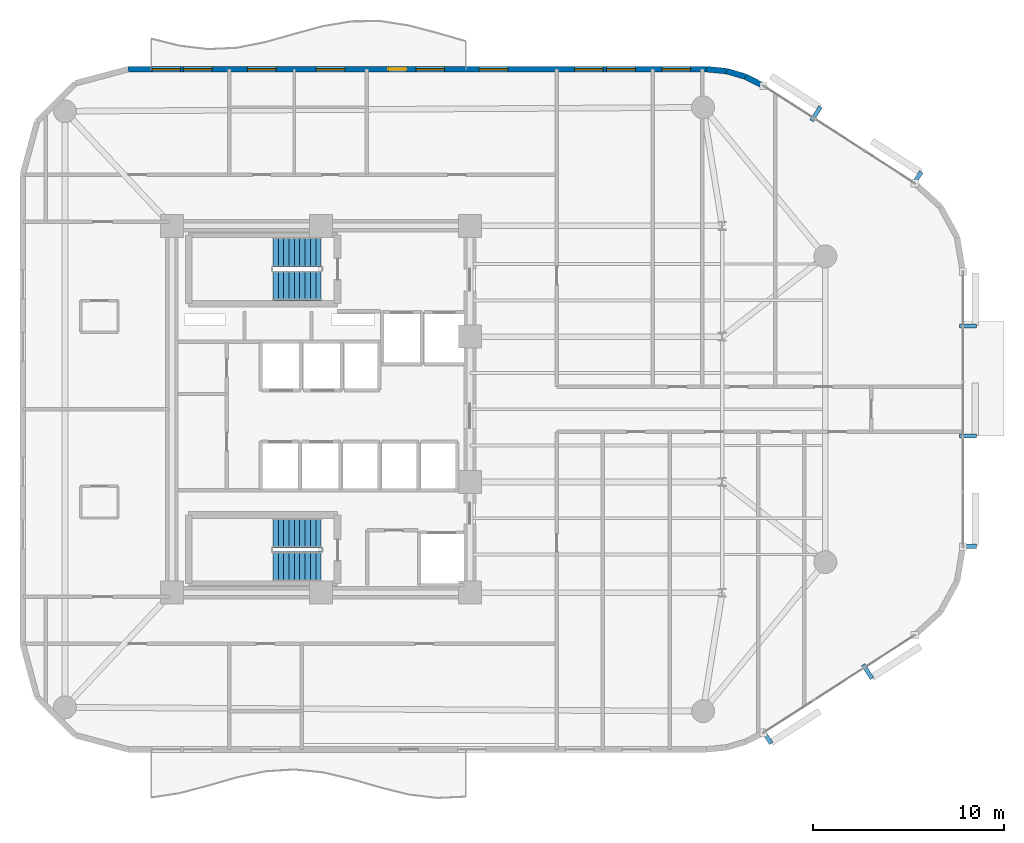
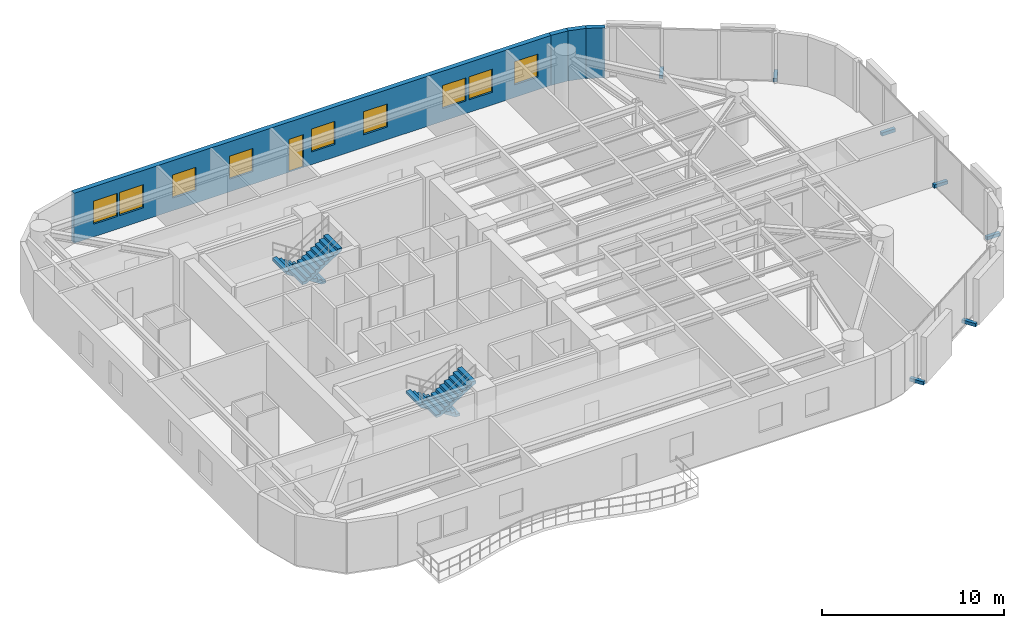
# One storey, part 13 of 15: 9 windows, 7 discrete accessories, 4 stair flights, 4 walls, 1 door, 10 openings, 2 elements without a shape of their own.
"""IFC4 building model written with IfcOpenShell, lengths in metres."""

from ifc_helpers import new_model, si_unit, direction, frame, frame_2d, origin, origin_2d, place, context, subcontext, project, spatial, polyline, rectangle, outline, extrude, material, layer, layer_set, type_object, element, fill, aggregate, save


model = new_model("IFC4")

# Units and contexts
model_context = context("Model", 3, precision=1e-05, world=origin(), true_north=direction((0.0, 1.0)))
body_context = subcontext(model_context, "Body", "Model", "MODEL_VIEW")
ifc_project = project(units=[si_unit("LENGTHUNIT", "METRE"), si_unit("AREAUNIT", "SQUARE_METRE"), si_unit("VOLUMEUNIT", "CUBIC_METRE"), si_unit("PLANEANGLEUNIT", "RADIAN"), si_unit("MASSUNIT", "GRAM", prefix="KILO")], contexts=[model_context])

# Site, building, storey
site_placement = place(None, origin())
site = spatial("IfcSite", under=ifc_project, at=site_placement, CompositionType="ELEMENT")
building_placement = place(site_placement, origin())
building = spatial("IfcBuilding", under=site, at=building_placement, Name="An Khanh Terracotta Commons", CompositionType="ELEMENT")
storey_placement = place(building_placement, frame((0.0, 0.0, 187.0)))
storey = spatial("IfcBuildingStorey", under=building, at=storey_placement, Name="L49", CompositionType="ELEMENT", Elevation=187.0)

# Walls
ifc_material_1 = material(Name="Precast concrete C40/50", Category="concrete")
ifc_layer = layer(ifc_material_1, 0.300048828125, Name="Precast concrete C40/50")
ifc_layer_set = layer_set([ifc_layer], Name="Precast concrete C40/50")
wall_type = type_object("IfcWallType", Name="WALL-EXT-300", PredefinedType="SOLIDWALL", material=ifc_layer_set)
wall_1_placement = place(storey_placement, frame((52.56005859375, 40.924072265625, 0.0), z_axis=(0.0, 0.0, 1.0), x_axis=(-0.888283247196, 0.459296062198, 0.0)))
element("IfcWall", 1, at=wall_1_placement, inside=storey, type_object=wall_type, Name="L49 Insulated Terracotta Exterior Wall 17", PredefinedType="SOLIDWALL", context=body_context, shape_type="SweptSolid", body=[
    extrude(rectangle(XDim=1.047119140625, YDim=0.300048828125, at=frame_2d((0.5234375, 0.0))), origin(), (0.0, 0.0, 1.0), 3.360107421875),
])
wall_2_placement = place(storey_placement, frame((51.6298828125, 41.405029296875, 0.0), z_axis=(0.0, 0.0, 1.0), x_axis=(-0.959528674476, 0.281610942363, 0.0)))
element("IfcWall", 2, at=wall_2_placement, inside=storey, type_object=wall_type, Name="L49 Insulated Terracotta Exterior Wall 18", PredefinedType="SOLIDWALL", context=body_context, shape_type="SweptSolid", body=[
    extrude(rectangle(XDim=1.04736328125, YDim=0.300048828125, at=frame_2d((0.523681640625, 0.0))), origin(), (0.0, 0.0, 1.0), 3.360107421875),
])
wall_3_placement = place(storey_placement, frame((50.625, 41.699951171875, 0.0), z_axis=(0.0, 0.0, 1.0), x_axis=(-0.995426089968, 0.095534807324, 0.0)))
element("IfcWall", 3, at=wall_3_placement, inside=storey, type_object=wall_type, Name="L49 Insulated Terracotta Exterior Wall 19", PredefinedType="SOLIDWALL", context=body_context, shape_type="SweptSolid", body=[
    extrude(rectangle(XDim=1.0478515625, YDim=0.300048828125, at=frame_2d((0.52392578125, 0.0))), origin(), (0.0, 0.0, 1.0), 3.360107421875),
])

# Wall, openings, door, windows
wall_4_placement = place(storey_placement, frame((49.58203125, 41.800048828125, 0.0), z_axis=(0.0, 0.0, 1.0), x_axis=(-1.0, 0.0, 0.0)))
wall_4 = element("IfcWall", 4, at=wall_4_placement, inside=storey, type_object=wall_type, Name="L49 Insulated Terracotta Exterior Wall 20", PredefinedType="SOLIDWALL", context=body_context, shape_type="SweptSolid", body=[
    extrude(rectangle(XDim=30.281982421875, YDim=0.300048828125, at=frame_2d((15.14111328125, 0.0))), origin(), (0.0, 0.0, 1.0), 3.360107421875),
])
opening_1_placement = place(wall_4_placement, frame((15.70703125, 0.0, 0.0)))
opening_1 = element("IfcOpeningElement", 5, at=opening_1_placement, cuts=wall_4, Name="Opening D-BAL", PredefinedType="OPENING", context=body_context, shape_type="SweptSolid", body=[
    extrude(rectangle(XDim=0.949951171875, YDim=2.199951171875, at=frame_2d((0.47509765625, 1.10009765625))), frame((0.0, 0.159912109375, 0.0), z_axis=(0.0, -1.0, 0.0), x_axis=(1.0, 0.0, 0.0)), (0.0, 0.0, 1.0), 0.320068359375),
])
opening_2_placement = place(wall_4_placement, frame((0.827880859375, 0.0, 0.85009765625)))
opening_2 = element("IfcOpeningElement", 6, at=opening_2_placement, cuts=wall_4, Name="Opening W-03", PredefinedType="OPENING", context=body_context, shape_type="SweptSolid", body=[
    extrude(rectangle(XDim=1.5, YDim=1.550048828125, at=frame_2d((0.75, 0.77490234375))), frame((0.0, 0.159912109375, 0.0), z_axis=(0.0, -1.0, 0.0), x_axis=(1.0, 0.0, 0.0)), (0.0, 0.0, 1.0), 0.320068359375),
])
opening_3_placement = place(wall_4_placement, frame((3.73095703125, 0.0, 0.85009765625)))
opening_3 = element("IfcOpeningElement", 7, at=opening_3_placement, cuts=wall_4, Name="Opening W-03", PredefinedType="OPENING", context=body_context, shape_type="SweptSolid", body=[
    extrude(rectangle(XDim=1.5, YDim=1.550048828125, at=frame_2d((0.75, 0.77490234375))), frame((0.0, 0.159912109375, 0.0), z_axis=(0.0, -1.0, 0.0), x_axis=(1.0, 0.0, 0.0)), (0.0, 0.0, 1.0), 0.320068359375),
])
opening_4_placement = place(wall_4_placement, frame((5.406982421875, 0.0, 0.85009765625)))
opening_4 = element("IfcOpeningElement", 8, at=opening_4_placement, cuts=wall_4, Name="Opening W-03", PredefinedType="OPENING", context=body_context, shape_type="SweptSolid", body=[
    extrude(rectangle(XDim=1.5, YDim=1.550048828125, at=frame_2d((0.75, 0.77490234375))), frame((0.0, 0.159912109375, 0.0), z_axis=(0.0, -1.0, 0.0), x_axis=(1.0, 0.0, 0.0)), (0.0, 0.0, 1.0), 0.320068359375),
])
opening_5_placement = place(wall_4_placement, frame((10.39892578125, 0.0, 0.85009765625)))
opening_5 = element("IfcOpeningElement", 9, at=opening_5_placement, cuts=wall_4, Name="Opening W-03", PredefinedType="OPENING", context=body_context, shape_type="SweptSolid", body=[
    extrude(rectangle(XDim=1.5, YDim=1.550048828125, at=frame_2d((0.75, 0.77490234375))), frame((0.0, 0.159912109375, 0.0), z_axis=(0.0, -1.0, 0.0), x_axis=(1.0, 0.0, 0.0)), (0.0, 0.0, 1.0), 0.320068359375),
])
opening_6_placement = place(wall_4_placement, frame((13.715087890625, 0.0, 0.85009765625)))
opening_6 = element("IfcOpeningElement", 10, at=opening_6_placement, cuts=wall_4, Name="Opening W-03", PredefinedType="OPENING", context=body_context, shape_type="SweptSolid", body=[
    extrude(rectangle(XDim=1.5, YDim=1.550048828125, at=frame_2d((0.75, 0.77490234375))), frame((0.0, 0.159912109375, 0.0), z_axis=(0.0, -1.0, 0.0), x_axis=(1.0, 0.0, 0.0)), (0.0, 0.0, 1.0), 0.320068359375),
])
opening_7_placement = place(wall_4_placement, frame((18.931884765625, 0.0, 0.85009765625)))
opening_7 = element("IfcOpeningElement", 11, at=opening_7_placement, cuts=wall_4, Name="Opening W-03", PredefinedType="OPENING", context=body_context, shape_type="SweptSolid", body=[
    extrude(rectangle(XDim=1.5, YDim=1.550048828125, at=frame_2d((0.75, 0.77490234375))), frame((0.0, 0.159912109375, 0.0), z_axis=(0.0, -1.0, 0.0), x_axis=(1.0, 0.0, 0.0)), (0.0, 0.0, 1.0), 0.320068359375),
])
opening_8_placement = place(wall_4_placement, frame((22.531982421875, 0.0, 0.85009765625)))
opening_8 = element("IfcOpeningElement", 12, at=opening_8_placement, cuts=wall_4, Name="Opening W-03", PredefinedType="OPENING", context=body_context, shape_type="SweptSolid", body=[
    extrude(rectangle(XDim=1.5, YDim=1.550048828125, at=frame_2d((0.75, 0.77490234375))), frame((0.0, 0.159912109375, 0.0), z_axis=(0.0, -1.0, 0.0), x_axis=(1.0, 0.0, 0.0)), (0.0, 0.0, 1.0), 0.320068359375),
])
opening_9_placement = place(wall_4_placement, frame((25.882080078125, 0.0, 0.85009765625)))
opening_9 = element("IfcOpeningElement", 13, at=opening_9_placement, cuts=wall_4, Name="Opening W-03", PredefinedType="OPENING", context=body_context, shape_type="SweptSolid", body=[
    extrude(rectangle(XDim=1.5, YDim=1.550048828125, at=frame_2d((0.75, 0.77490234375))), frame((0.0, 0.159912109375, 0.0), z_axis=(0.0, -1.0, 0.0), x_axis=(1.0, 0.0, 0.0)), (0.0, 0.0, 1.0), 0.320068359375),
])
opening_10_placement = place(wall_4_placement, frame((27.531982421875, 0.0, 0.85009765625)))
opening_10 = element("IfcOpeningElement", 14, at=opening_10_placement, cuts=wall_4, Name="Opening W-03", PredefinedType="OPENING", context=body_context, shape_type="SweptSolid", body=[
    extrude(rectangle(XDim=1.5, YDim=1.550048828125, at=frame_2d((0.75, 0.77490234375))), frame((0.0, 0.159912109375, 0.0), z_axis=(0.0, -1.0, 0.0), x_axis=(1.0, 0.0, 0.0)), (0.0, 0.0, 1.0), 0.320068359375),
])
ifc_material_2 = material(Name="Thermally Broken Aluminium and Low-E Glass", Category="aluminium")
door_type = type_object("IfcDoorType", Name="DOOR-BALC-950", OperationType="NOTDEFINED", PredefinedType="DOOR", material=ifc_material_2)
door_placement = place(opening_1_placement, origin())
door = element("IfcDoor", 15, at=door_placement, inside=storey, type_object=door_type, Name="L49 N Wave Balcony Glazed Door", OperationType="SINGLE_SWING_RIGHT", OverallHeight=2.199951171875, OverallWidth=0.949951171875, PredefinedType="DOOR", context=body_context, shape_type="SweptSolid", body=[
    extrude(rectangle(XDim=0.949951171875, YDim=2.199951171875, at=frame_2d((0.47509765625, 1.10009765625))), frame((0.0, 0.02490234375, 0.0), z_axis=(0.0, -1.0, 0.0), x_axis=(1.0, 0.0, 0.0)), (0.0, 0.0, 1.0), 0.050048828125),
])
fill(opening_1, door)
window_type = type_object("IfcWindowType", Name="WIN-Z3-1500x1550", PartitioningType="DOUBLE_PANEL_VERTICAL", PredefinedType="WINDOW", material=ifc_material_2)
window_1_placement = place(opening_2_placement, origin())
window_1 = element("IfcWindow", 16, at=window_1_placement, inside=storey, type_object=window_type, Name="L49 Operable Casement Window 20.1", OverallHeight=1.550048828125, OverallWidth=1.5, PartitioningType="DOUBLE_PANEL_VERTICAL", PredefinedType="WINDOW", context=body_context, shape_type="SweptSolid", body=[
    extrude(rectangle(XDim=1.5, YDim=1.550048828125, at=frame_2d((0.75, 0.77490234375))), frame((0.0, 0.030029296875, 0.0), z_axis=(0.0, -1.0, 0.0), x_axis=(1.0, 0.0, 0.0)), (0.0, 0.0, 1.0), 0.06005859375),
])
fill(opening_2, window_1)
window_2_placement = place(opening_3_placement, origin())
window_2 = element("IfcWindow", 17, at=window_2_placement, inside=storey, type_object=window_type, Name="L49 Operable Casement Window 20.2", OverallHeight=1.550048828125, OverallWidth=1.5, PartitioningType="DOUBLE_PANEL_VERTICAL", PredefinedType="WINDOW", context=body_context, shape_type="SweptSolid", body=[
    extrude(rectangle(XDim=1.5, YDim=1.550048828125, at=frame_2d((0.75, 0.77490234375))), frame((0.0, 0.030029296875, 0.0), z_axis=(0.0, -1.0, 0.0), x_axis=(1.0, 0.0, 0.0)), (0.0, 0.0, 1.0), 0.06005859375),
])
fill(opening_3, window_2)
window_3_placement = place(opening_4_placement, origin())
window_3 = element("IfcWindow", 18, at=window_3_placement, inside=storey, type_object=window_type, Name="L49 Operable Casement Window 20.3", OverallHeight=1.550048828125, OverallWidth=1.5, PartitioningType="DOUBLE_PANEL_VERTICAL", PredefinedType="WINDOW", context=body_context, shape_type="SweptSolid", body=[
    extrude(rectangle(XDim=1.5, YDim=1.550048828125, at=frame_2d((0.75, 0.77490234375))), frame((0.0, 0.030029296875, 0.0), z_axis=(0.0, -1.0, 0.0), x_axis=(1.0, 0.0, 0.0)), (0.0, 0.0, 1.0), 0.06005859375),
])
fill(opening_4, window_3)
window_4_placement = place(opening_5_placement, origin())
window_4 = element("IfcWindow", 19, at=window_4_placement, inside=storey, type_object=window_type, Name="L49 Operable Casement Window 20.4", OverallHeight=1.550048828125, OverallWidth=1.5, PartitioningType="DOUBLE_PANEL_VERTICAL", PredefinedType="WINDOW", context=body_context, shape_type="SweptSolid", body=[
    extrude(rectangle(XDim=1.5, YDim=1.550048828125, at=frame_2d((0.75, 0.77490234375))), frame((0.0, 0.030029296875, 0.0), z_axis=(0.0, -1.0, 0.0), x_axis=(1.0, 0.0, 0.0)), (0.0, 0.0, 1.0), 0.06005859375),
])
fill(opening_5, window_4)
window_5_placement = place(opening_6_placement, origin())
window_5 = element("IfcWindow", 20, at=window_5_placement, inside=storey, type_object=window_type, Name="L49 Operable Casement Window 20.5", OverallHeight=1.550048828125, OverallWidth=1.5, PartitioningType="DOUBLE_PANEL_VERTICAL", PredefinedType="WINDOW", context=body_context, shape_type="SweptSolid", body=[
    extrude(rectangle(XDim=1.5, YDim=1.550048828125, at=frame_2d((0.75, 0.77490234375))), frame((0.0, 0.030029296875, 0.0), z_axis=(0.0, -1.0, 0.0), x_axis=(1.0, 0.0, 0.0)), (0.0, 0.0, 1.0), 0.06005859375),
])
fill(opening_6, window_5)
window_6_placement = place(opening_7_placement, origin())
window_6 = element("IfcWindow", 21, at=window_6_placement, inside=storey, type_object=window_type, Name="L49 Operable Casement Window 20.6", OverallHeight=1.550048828125, OverallWidth=1.5, PartitioningType="DOUBLE_PANEL_VERTICAL", PredefinedType="WINDOW", context=body_context, shape_type="SweptSolid", body=[
    extrude(rectangle(XDim=1.5, YDim=1.550048828125, at=frame_2d((0.75, 0.77490234375))), frame((0.0, 0.030029296875, 0.0), z_axis=(0.0, -1.0, 0.0), x_axis=(1.0, 0.0, 0.0)), (0.0, 0.0, 1.0), 0.06005859375),
])
fill(opening_7, window_6)
window_7_placement = place(opening_8_placement, origin())
window_7 = element("IfcWindow", 22, at=window_7_placement, inside=storey, type_object=window_type, Name="L49 Operable Casement Window 20.7", OverallHeight=1.550048828125, OverallWidth=1.5, PartitioningType="DOUBLE_PANEL_VERTICAL", PredefinedType="WINDOW", context=body_context, shape_type="SweptSolid", body=[
    extrude(rectangle(XDim=1.5, YDim=1.550048828125, at=frame_2d((0.75, 0.77490234375))), frame((0.0, 0.030029296875, 0.0), z_axis=(0.0, -1.0, 0.0), x_axis=(1.0, 0.0, 0.0)), (0.0, 0.0, 1.0), 0.06005859375),
])
fill(opening_8, window_7)
window_8_placement = place(opening_9_placement, origin())
window_8 = element("IfcWindow", 23, at=window_8_placement, inside=storey, type_object=window_type, Name="L49 Operable Casement Window 20.8", OverallHeight=1.550048828125, OverallWidth=1.5, PartitioningType="DOUBLE_PANEL_VERTICAL", PredefinedType="WINDOW", context=body_context, shape_type="SweptSolid", body=[
    extrude(rectangle(XDim=1.5, YDim=1.550048828125, at=frame_2d((0.75, 0.77490234375))), frame((0.0, 0.030029296875, 0.0), z_axis=(0.0, -1.0, 0.0), x_axis=(1.0, 0.0, 0.0)), (0.0, 0.0, 1.0), 0.06005859375),
])
fill(opening_9, window_8)
window_9_placement = place(opening_10_placement, origin())
window_9 = element("IfcWindow", 24, at=window_9_placement, inside=storey, type_object=window_type, Name="L49 Operable Casement Window 20.9", OverallHeight=1.550048828125, OverallWidth=1.5, PartitioningType="DOUBLE_PANEL_VERTICAL", PredefinedType="WINDOW", context=body_context, shape_type="SweptSolid", body=[
    extrude(rectangle(XDim=1.5, YDim=1.550048828125, at=frame_2d((0.75, 0.77490234375))), frame((0.0, 0.030029296875, 0.0), z_axis=(0.0, -1.0, 0.0), x_axis=(1.0, 0.0, 0.0)), (0.0, 0.0, 1.0), 0.06005859375),
])
fill(opening_10, window_9)

# Stair, stair flights
stair_type = type_object("IfcStairType", Name="STAIR-CORE-1550", PredefinedType="HALF_TURN_STAIR", material=ifc_material_1)
stair_1_placement = place(storey_placement, origin())
stair_1 = element("IfcStair", 25, at=stair_1_placement, inside=storey, type_object=stair_type, Name="L49 Core Smokeproof Exit Stair ST-01", PredefinedType="HALF_TURN_STAIR")
stair_flight_type = type_object("IfcStairFlightType", Name="FLIGHT-CORE-1550", PredefinedType="STRAIGHT", material=ifc_material_1)
stair_flight_1_placement = place(storey_placement, frame((29.409912109375, 32.22509765625, 0.0), z_axis=(0.0, 0.0, 1.0), x_axis=(-1.0, 0.0, 0.0)))
stair_flight_1 = element("IfcStairFlight", 26, at=stair_flight_1_placement, type_object=stair_flight_type, Name="ST-01 flight 1", NumberOfRisers=10, NumberOfTreads=9, PredefinedType="STRAIGHT", RiserHeight=0.18, TreadLength=0.28, context=body_context, shape_type="SweptSolid", body=[
    extrude(outline(polyline([(0.0, 0.0), (0.0, 0.179931640625), (0.280029296875, 0.179931640625), (0.280029296875, 0.360107421875), (0.56005859375, 0.360107421875), (0.56005859375, 0.5400390625), (0.840087890625, 0.5400390625), (0.840087890625, 0.719970703125), (1.1201171875, 0.719970703125), (1.1201171875, 0.89990234375), (1.39990234375, 0.89990234375), (1.39990234375, 1.080078125), (1.679931640625, 1.080078125), (1.679931640625, 1.260009765625), (1.9599609375, 1.260009765625), (1.9599609375, 1.43994140625), (2.239990234375, 1.43994140625), (2.239990234375, 1.6201171875), (2.52001953125, 1.6201171875), (2.52001953125, 1.800048828125), (2.52001953125, 1.44189453125), (0.277099609375, 0.0), (0.0, 0.0)])), frame((0.0, 0.77490234375, 0.0), z_axis=(0.0, -1.0, 0.0), x_axis=(1.0, 0.0, 0.0)), (0.0, 0.0, 1.0), 1.550048828125),
])
stair_flight_2_placement = place(storey_placement, frame((26.889892578125, 30.47509765625, 1.800048828125), z_axis=(0.0, 0.0, 1.0), x_axis=(1.0, 0.0, 0.0)))
stair_flight_2 = element("IfcStairFlight", 27, at=stair_flight_2_placement, type_object=stair_flight_type, Name="ST-01 flight 2", NumberOfRisers=10, NumberOfTreads=9, PredefinedType="STRAIGHT", RiserHeight=0.18, TreadLength=0.28, context=body_context, shape_type="SweptSolid", body=[
    extrude(outline(polyline([(0.0, 0.0), (0.0, 0.179931640625), (0.280029296875, 0.179931640625), (0.280029296875, 0.360107421875), (0.56005859375, 0.360107421875), (0.56005859375, 0.5400390625), (0.840087890625, 0.5400390625), (0.840087890625, 0.719970703125), (1.1201171875, 0.719970703125), (1.1201171875, 0.89990234375), (1.39990234375, 0.89990234375), (1.39990234375, 1.080078125), (1.679931640625, 1.080078125), (1.679931640625, 1.260009765625), (1.9599609375, 1.260009765625), (1.9599609375, 1.43994140625), (2.239990234375, 1.43994140625), (2.239990234375, 1.6201171875), (2.52001953125, 1.6201171875), (2.52001953125, 1.800048828125), (2.52001953125, 1.44189453125), (0.277099609375, 0.0), (0.0, 0.0)])), frame((0.0, 0.77490234375, 0.0), z_axis=(0.0, -1.0, 0.0), x_axis=(1.0, 0.0, 0.0)), (0.0, 0.0, 1.0), 1.550048828125),
])
aggregate(stair_1, [stair_flight_1, stair_flight_2])

stair_2_placement = place(storey_placement, origin())
stair_2 = element("IfcStair", 28, at=stair_2_placement, inside=storey, type_object=stair_type, Name="L49 Core Smokeproof Exit Stair ST-02", PredefinedType="HALF_TURN_STAIR")
stair_flight_3_placement = place(storey_placement, frame((29.409912109375, 17.52490234375, 0.0), z_axis=(0.0, 0.0, 1.0), x_axis=(-1.0, 0.0, 0.0)))
stair_flight_3 = element("IfcStairFlight", 29, at=stair_flight_3_placement, type_object=stair_flight_type, Name="ST-02 flight 1", NumberOfRisers=10, NumberOfTreads=9, PredefinedType="STRAIGHT", RiserHeight=0.18, TreadLength=0.28, context=body_context, shape_type="SweptSolid", body=[
    extrude(outline(polyline([(0.0, 0.0), (0.0, 0.179931640625), (0.280029296875, 0.179931640625), (0.280029296875, 0.360107421875), (0.56005859375, 0.360107421875), (0.56005859375, 0.5400390625), (0.840087890625, 0.5400390625), (0.840087890625, 0.719970703125), (1.1201171875, 0.719970703125), (1.1201171875, 0.89990234375), (1.39990234375, 0.89990234375), (1.39990234375, 1.080078125), (1.679931640625, 1.080078125), (1.679931640625, 1.260009765625), (1.9599609375, 1.260009765625), (1.9599609375, 1.43994140625), (2.239990234375, 1.43994140625), (2.239990234375, 1.6201171875), (2.52001953125, 1.6201171875), (2.52001953125, 1.800048828125), (2.52001953125, 1.44189453125), (0.277099609375, 0.0), (0.0, 0.0)])), frame((0.0, 0.77490234375, 0.0), z_axis=(0.0, -1.0, 0.0), x_axis=(1.0, 0.0, 0.0)), (0.0, 0.0, 1.0), 1.550048828125),
])
stair_flight_4_placement = place(storey_placement, frame((26.889892578125, 15.77490234375, 1.800048828125), z_axis=(0.0, 0.0, 1.0), x_axis=(1.0, 0.0, 0.0)))
stair_flight_4 = element("IfcStairFlight", 30, at=stair_flight_4_placement, type_object=stair_flight_type, Name="ST-02 flight 2", NumberOfRisers=10, NumberOfTreads=9, PredefinedType="STRAIGHT", RiserHeight=0.18, TreadLength=0.28, context=body_context, shape_type="SweptSolid", body=[
    extrude(outline(polyline([(0.0, 0.0), (0.0, 0.179931640625), (0.280029296875, 0.179931640625), (0.280029296875, 0.360107421875), (0.56005859375, 0.360107421875), (0.56005859375, 0.5400390625), (0.840087890625, 0.5400390625), (0.840087890625, 0.719970703125), (1.1201171875, 0.719970703125), (1.1201171875, 0.89990234375), (1.39990234375, 0.89990234375), (1.39990234375, 1.080078125), (1.679931640625, 1.080078125), (1.679931640625, 1.260009765625), (1.9599609375, 1.260009765625), (1.9599609375, 1.43994140625), (2.239990234375, 1.43994140625), (2.239990234375, 1.6201171875), (2.52001953125, 1.6201171875), (2.52001953125, 1.800048828125), (2.52001953125, 1.44189453125), (0.277099609375, 0.0), (0.0, 0.0)])), frame((0.0, 0.77490234375, 0.0), z_axis=(0.0, -1.0, 0.0), x_axis=(1.0, 0.0, 0.0)), (0.0, 0.0, 1.0), 1.550048828125),
])
aggregate(stair_2, [stair_flight_3, stair_flight_4])

# Discrete accessories
ifc_material_3 = material(Name="Stainless Steel Grade 316L", Category="steel")
discrete_accessory_type = type_object("IfcDiscreteAccessoryType", Name="Stainless Outrigger Facade Bracket", PredefinedType="BRACKET", material=ifc_material_3)
for number, where, z_axis, x_axis, name in (
    (31, (52.73291015625, 6.8720703125, 0.06982421875), (0.0, 0.0, 1.0), (0.840702081986, 0.541497931062, 0.0), "L49 Terracotta Screen Outrigger Bracket 1"),
    (32, (58.011962890625, 10.27197265625, 0.06982421875), (0.0, 0.0, 1.0), (0.840702081986, 0.541497931062, 0.0), "L49 Terracotta Screen Outrigger Bracket 3"),
    (33, (63.264892578125, 16.8349609375, 0.06982421875), (0.0, 0.0, 1.0), (0.0, 1.0, 0.0), "L49 Terracotta Screen Outrigger Bracket 1"),
    (34, (63.264892578125, 22.594970703125, 0.06982421875), (0.0, 0.0, 1.0), (0.0, 1.0, 0.0), "L49 Terracotta Screen Outrigger Bracket 3"),
    (35, (63.264892578125, 28.35498046875, 0.06982421875), (0.0, 0.0, 1.0), (0.0, 1.0, 0.0), "L49 Terracotta Screen Outrigger Bracket 5"),
    (36, (60.592041015625, 36.06591796875, 0.06982421875), (0.0, 0.0, 1.0), (-0.840702081986, 0.541497931062, 0.0), "L49 Terracotta Screen Outrigger Bracket 1"),
    (37, (55.31298828125, 39.466064453125, 0.06982421875), (0.0, 0.0, 1.0), (-0.840702081986, 0.541497931062, 0.0), "L49 Terracotta Screen Outrigger Bracket 3"),
):
    element("IfcDiscreteAccessory", number, at=place(storey_placement, frame(where, z_axis=z_axis, x_axis=x_axis)), inside=storey, type_object=discrete_accessory_type, Name=name, PredefinedType="BRACKET", context=body_context, shape_type="SweptSolid", body=[
        extrude(rectangle(XDim=0.219970703125, YDim=0.8701171875, at=origin_2d()), origin(), (0.0, 0.0, 1.0), 0.219970703125),
    ])

save(model, "model.ifc")
